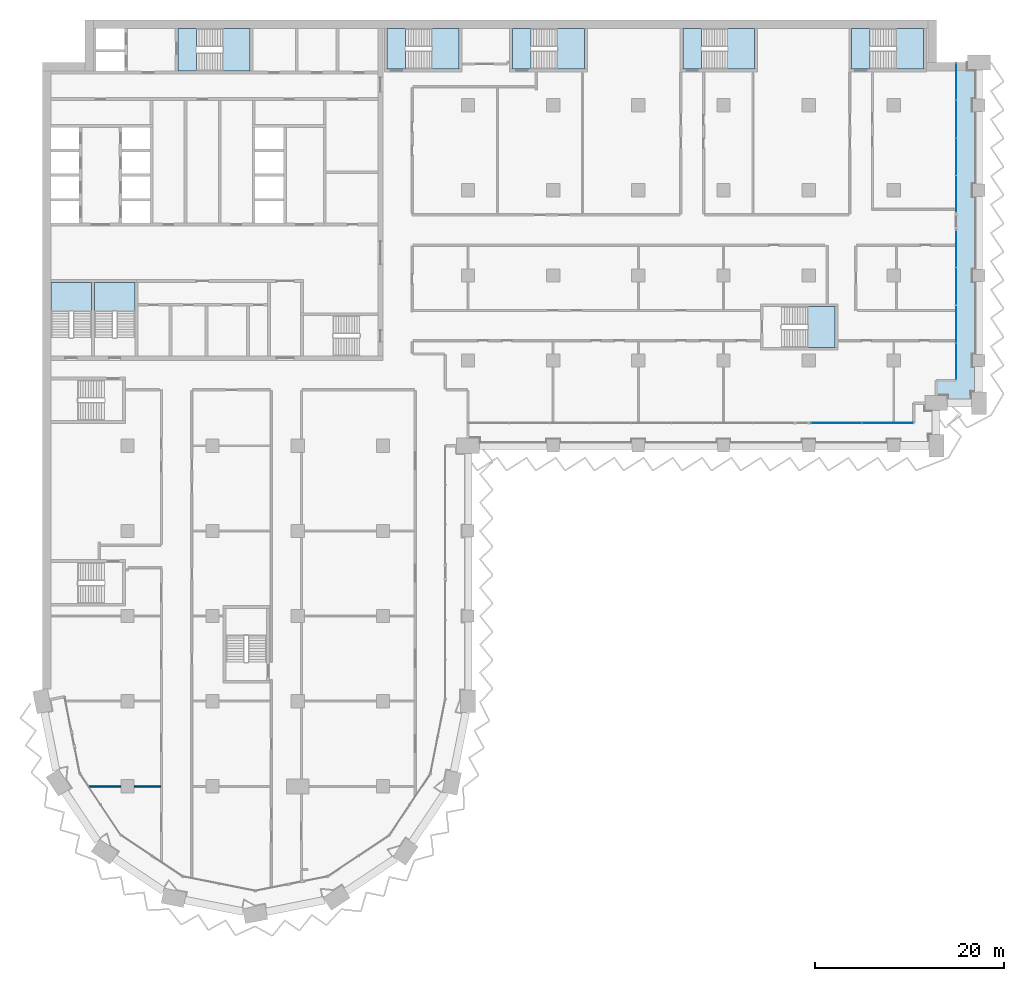
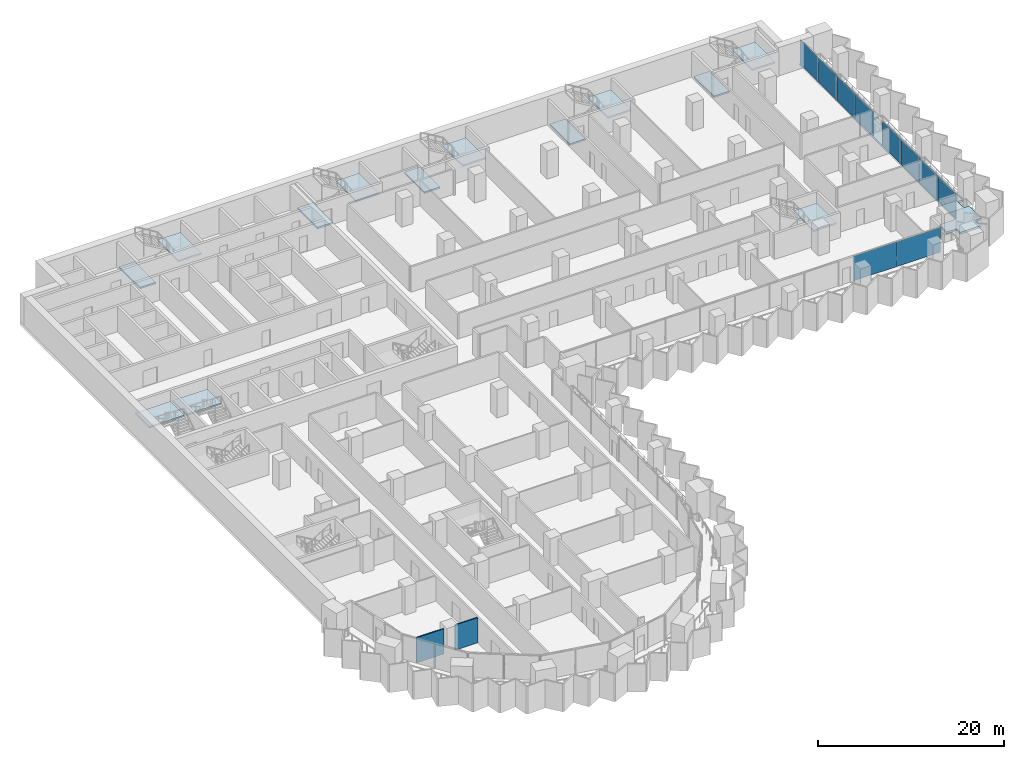
# One storey, part 9 of 28: 14 slabs, 10 plates, 2 walls, 11 elements without a shape of their own.
"""IFC4 building model written with IfcOpenShell, lengths in metres."""

import ifcopenshell
import ifcopenshell.guid

model = None  # the IFC model being written
_history = None  # IfcOwnerHistory: only IFC2X3 demands one
_inside = {}  # id of a spatial element -> (the spatial element, [elements in it])
_under = {}  # id of a project, library or spatial element -> (it, [spatial elements below it])
_declared = {}  # id of a project -> (the project, [libraries it declares])
_typed = {}  # id of a type object -> (the type object, [elements of that type])
_made_of = {}  # id of a material, layer set ... -> (it, [elements and type objects made of it])


def new_model(schema):
    """Start an empty IFC model of exactly this schema.

    Asked for "IFC4X3", IfcOpenShell would pick the latest addendum, in which some entities
    have other attributes; the version numbers below select the first issue.
    IFC2X3 requires an IfcOwnerHistory on every rooted entity: one is made here for all.
    """
    global model, _history
    if schema == "IFC4X3":
        model = ifcopenshell.file(schema_version=(4, 3, 0, 0))
    else:
        model = ifcopenshell.file(schema=schema)
    _inside.clear()
    _under.clear()
    _declared.clear()
    _typed.clear()
    _made_of.clear()
    _history = None
    if model.schema == "IFC2X3":
        org = make("IfcOrganization", Name="unknown")
        user = make(
            "IfcPersonAndOrganization",
            ThePerson=make("IfcPerson", FamilyName="unknown"),
            TheOrganization=org,
        )
        app = make(
            "IfcApplication",
            ApplicationDeveloper=org,
            Version="unknown",
            ApplicationFullName="unknown",
            ApplicationIdentifier="unknown",
        )
        _history = make(
            "IfcOwnerHistory",
            OwningUser=user,
            OwningApplication=app,
            ChangeAction="ADDED",
            CreationDate=0,
        )
    return model


def make(cls, **values):
    """One entity of the class cls with the attributes given. An attribute that is None is left unset."""
    return model.create_entity(
        cls, **{name: value for name, value in values.items() if value is not None}
    )


def rooted(cls, **values):
    """An entity with a GlobalId (a new one), such as an element, a storey or a relation."""
    return make(cls, GlobalId=ifcopenshell.guid.new(), OwnerHistory=_history, **values)


def si_unit(unit_type, name, prefix=None):
    """IfcSIUnit, for example si_unit("LENGTHUNIT", "METRE", prefix="MILLI")."""
    return make("IfcSIUnit", UnitType=unit_type, Prefix=prefix, Name=name)


def assignment(units):
    """IfcUnitAssignment: the units of a project."""
    return None if units is None else make("IfcUnitAssignment", Units=units)


def point(xyz):
    """IfcCartesianPoint."""
    return None if xyz is None else make("IfcCartesianPoint", Coordinates=xyz)


def direction(xyz):
    """IfcDirection."""
    return None if xyz is None else make("IfcDirection", DirectionRatios=xyz)


def frame(location, z_axis=None, x_axis=None):
    """IfcAxis2Placement3D, a coordinate frame: its origin and axes. An axis left out is left unset."""
    return make(
        "IfcAxis2Placement3D",
        Location=point(location),
        Axis=direction(z_axis),
        RefDirection=direction(x_axis),
    )


def frame_2d(location, x_axis=None):
    """IfcAxis2Placement2D, a coordinate frame in the plane: its origin and x axis."""
    return make(
        "IfcAxis2Placement2D", Location=point(location), RefDirection=direction(x_axis)
    )


def origin():
    """The frame at (0, 0, 0) with its axes left unset."""
    return frame((0.0, 0.0, 0.0))


def origin_2d():
    """The frame at (0, 0) in the plane with its x axis left unset."""
    return frame_2d((0.0, 0.0))


def place(relative_to, where):
    """IfcLocalPlacement: puts the frame where relative to a parent placement (None: the world)."""
    return make(
        "IfcLocalPlacement", PlacementRelTo=relative_to, RelativePlacement=where
    )


def context(
    kind, dimensions, precision=None, world=None, true_north=None, identifier=None
):
    """IfcGeometricRepresentationContext, for example the 3D "Model" context."""
    return make(
        "IfcGeometricRepresentationContext",
        ContextIdentifier=identifier,
        ContextType=kind,
        CoordinateSpaceDimension=dimensions,
        Precision=precision,
        WorldCoordinateSystem=world,
        TrueNorth=true_north,
    )


def subcontext(parent, identifier, kind, view, scale=None):
    """IfcGeometricRepresentationSubContext, for example "Body" below "Model"."""
    return make(
        "IfcGeometricRepresentationSubContext",
        ContextIdentifier=identifier,
        ContextType=kind,
        ParentContext=parent,
        TargetScale=scale,
        TargetView=view,
    )


def project(units=None, contexts=None):
    """IfcProject with its units and contexts."""
    return rooted(
        "IfcProject",
        Name="project",
        RepresentationContexts=contexts,
        UnitsInContext=assignment(units),
    )


def spatial(cls, under=None, at=None, **own):
    """A site, building, storey or space (cls), placed at a placement, below another one or the project."""
    s = rooted(cls, ObjectPlacement=at, **own)
    if under is not None:
        _under.setdefault(under.id(), (under, []))[1].append(s)
    return s


def polyline(points):
    """IfcPolyline through the points."""
    return make("IfcPolyline", Points=[point(p) for p in points])


def profile(cls, at=None, kind="AREA", **sizes):
    """A parametric profile (cls). Its sizes go by their IFC names, for example OverallWidth=200.0."""
    return make(cls, ProfileType=kind, Position=at, **sizes)


def rectangle(**sizes):
    """IfcRectangleProfileDef."""
    return profile("IfcRectangleProfileDef", **sizes)


def outline(outer, holes=None, kind="AREA"):
    """IfcArbitraryClosedProfileDef: a profile drawn as a closed curve; with holes, ...WithVoids."""
    if holes is None:
        return make("IfcArbitraryClosedProfileDef", ProfileType=kind, OuterCurve=outer)
    return make(
        "IfcArbitraryProfileDefWithVoids",
        ProfileType=kind,
        OuterCurve=outer,
        InnerCurves=holes,
    )


def extrude(swept, where, along, depth):
    """IfcExtrudedAreaSolid: the profile swept, set in the frame where, extruded along a direction by depth."""
    return make(
        "IfcExtrudedAreaSolid",
        SweptArea=swept,
        Position=where,
        ExtrudedDirection=direction(along),
        Depth=depth,
    )


def shape(context_of_items, identifier, shape_type, items):
    """IfcShapeRepresentation: the items that make up one representation, for example the "Body"."""
    return make(
        "IfcShapeRepresentation",
        ContextOfItems=context_of_items,
        RepresentationIdentifier=identifier,
        RepresentationType=shape_type,
        Items=items,
    )


def material(Name=None, Category=None):
    """IfcMaterial."""
    return make("IfcMaterial", Name=Name, Category=Category)


def layer(
    of_material, thickness, ventilated=None, Name=None, Category=None, Priority=None
):
    """IfcMaterialLayer: one layer of a wall or slab, of a material (None: an air gap)."""
    return make(
        "IfcMaterialLayer",
        Material=of_material,
        LayerThickness=thickness,
        IsVentilated=ventilated,
        Name=Name,
        Category=Category,
        Priority=Priority,
    )


def layer_set(layers, Name=None):
    """IfcMaterialLayerSet."""
    return make("IfcMaterialLayerSet", MaterialLayers=layers, LayerSetName=Name)


def made_of(thing, what):
    """Note that an element or type object is made of a material, layer set ...; save() writes the relation."""
    if what is not None:
        _made_of.setdefault(what.id(), (what, []))[1].append(thing)
    return thing


def type_object(cls, material=None, **own):
    """A type object (cls), such as IfcWallType, which elements share."""
    return made_of(rooted(cls, **own), material)


def element(
    cls,
    number,
    at=None,
    inside=None,
    cuts=None,
    type_object=None,
    material=None,
    context=None,
    identifier="Body",
    shape_type=None,
    held_by="IfcProductDefinitionShape",
    body=None,
    shapes=None,
    **own,
):
    """One element of the class cls, such as IfcWall. Its Tag is "e" and its number.

    at: its placement. inside: the storey or other place that contains it. cuts: it is an
    opening in that element (IfcRelVoidsElement). A single representation is given by context,
    identifier, shape_type and body (its items); several are given by shapes. held_by: the class
    of the entity that holds the representations. save() writes the other relations.
    """
    e = rooted(cls, Tag="e%d" % number, ObjectPlacement=at, **own)
    if body is not None:
        shapes = [shape(context, identifier, shape_type, body)]
    if shapes is not None:
        e.Representation = make(held_by, Representations=shapes)
    if inside is not None:
        _inside.setdefault(inside.id(), (inside, []))[1].append(e)
    if cuts is not None:
        rooted(
            "IfcRelVoidsElement", RelatingBuildingElement=cuts, RelatedOpeningElement=e
        )
    if type_object is not None:
        _typed.setdefault(type_object.id(), (type_object, []))[1].append(e)
    return made_of(e, material)


def aggregate(whole, parts):
    """IfcRelAggregates: a whole, such as a stair, and the parts it consists of."""
    return rooted("IfcRelAggregates", RelatingObject=whole, RelatedObjects=parts)


def save(model, path):
    """Write the relations noted so far, then the file.

    IfcRelAggregates (storeys below a building ...), IfcRelContainedInSpatialStructure (elements
    in a storey), IfcRelDefinesByType, IfcRelAssociatesMaterial and IfcRelDeclares: one each for
    every whole, place, type object, material and project.
    """
    for whole, parts in _under.values():
        aggregate(whole, parts)
    for where, things in _inside.values():
        rooted(
            "IfcRelContainedInSpatialStructure",
            RelatedElements=things,
            RelatingStructure=where,
        )
    for kind, things in _typed.values():
        rooted("IfcRelDefinesByType", RelatedObjects=things, RelatingType=kind)
    for what, things in _made_of.values():
        rooted("IfcRelAssociatesMaterial", RelatedObjects=things, RelatingMaterial=what)
    for by, libraries in _declared.values():
        rooted("IfcRelDeclares", RelatingContext=by, RelatedDefinitions=libraries)
    model.write(path)


model = new_model("IFC4")

# Units and contexts
model_context = context("Model", 3, precision=1e-05, world=origin(), true_north=direction((0.0, 1.0)))
body_context = subcontext(model_context, "Body", "Model", "MODEL_VIEW")
ifc_project = project(units=[si_unit("LENGTHUNIT", "METRE"), si_unit("AREAUNIT", "SQUARE_METRE"), si_unit("VOLUMEUNIT", "CUBIC_METRE"), si_unit("PLANEANGLEUNIT", "RADIAN"), si_unit("MASSUNIT", "GRAM", prefix="KILO")], contexts=[model_context])

# Site, building, storey
site_placement = place(None, origin())
site = spatial("IfcSite", under=ifc_project, at=site_placement, CompositionType="ELEMENT")
building_placement = place(site_placement, origin())
building = spatial("IfcBuilding", under=site, at=building_placement, Name="Hunhe Ridgeline Campus", CompositionType="ELEMENT")
storey_placement = place(building_placement, frame((0.0, 0.0, 72.800048828125)))
storey = spatial("IfcBuildingStorey", under=building, at=storey_placement, Name="L17", CompositionType="ELEMENT", Elevation=72.800048828125)

# Curtain wall, plates
ifc_material_1 = material(Name="Aluminium 6063", Category="aluminium")
curtain_wall_type = type_object("IfcCurtainWallType", Name="Curtain wall CW-1", PredefinedType="NOTDEFINED", material=ifc_material_1)
curtain_wall_1_placement = place(storey_placement, origin())
curtain_wall_1 = element("IfcCurtainWall", 1, at=curtain_wall_1_placement, inside=storey, type_object=curtain_wall_type, Name="Curtain wall 14", PredefinedType="NOTDEFINED")
ifc_material_2 = material(Name="Low-e laminated glass", Category="glass")
ifc_layer_1 = layer(ifc_material_2, 0.028076171875)
ifc_layer_set_1 = layer_set([ifc_layer_1], Name="Curtain wall glass panel 28 low-e laminated")
plate_type = type_object("IfcPlateType", Name="Curtain wall glass panel 28 low-e laminated", PredefinedType="CURTAIN_PANEL", material=ifc_layer_set_1)
plate_1_placement = place(storey_placement, frame((83.957763671875, 56.40087890625, 0.0), z_axis=(0.0, 0.0, 1.0), x_axis=(0.999999999994, 3.58625e-06, 0.0)))
plate_1 = element("IfcPlate", 2, at=plate_1_placement, type_object=plate_type, Name="CW-1 panel 1", PredefinedType="CURTAIN_PANEL", context=body_context, shape_type="SweptSolid", body=[
    extrude(rectangle(XDim=5.347412109375, YDim=0.028076171875, at=origin_2d()), origin(), (0.0, 0.0, 1.0), 3.239990234375),
])
plate_2_placement = place(storey_placement, frame((89.365234375, 56.40087890625, 0.0), z_axis=(0.0, 0.0, 1.0), x_axis=(0.999999999994, 3.58625e-06, 0.0)))
plate_2 = element("IfcPlate", 3, at=plate_2_placement, type_object=plate_type, Name="CW-1 panel 2", PredefinedType="CURTAIN_PANEL", context=body_context, shape_type="SweptSolid", body=[
    extrude(rectangle(XDim=5.347412109375, YDim=0.028076171875, at=origin_2d()), origin(), (0.0, 0.0, 1.0), 3.239990234375),
])
aggregate(curtain_wall_1, [plate_1, plate_2])

curtain_wall_2_placement = place(storey_placement, origin())
curtain_wall_2 = element("IfcCurtainWall", 4, at=curtain_wall_2_placement, inside=storey, type_object=curtain_wall_type, Name="Curtain wall 15", PredefinedType="NOTDEFINED")
plate_3_placement = place(storey_placement, frame((96.59912109375, 62.9033203125, 0.0), z_axis=(0.0, 0.0, 1.0), x_axis=(0.0, 1.0, 0.0)))
plate_3 = element("IfcPlate", 5, at=plate_3_placement, type_object=plate_type, Name="CW-1 panel 1", PredefinedType="CURTAIN_PANEL", context=body_context, shape_type="SweptSolid", body=[
    extrude(rectangle(XDim=3.884765625, YDim=0.028076171875, at=origin_2d()), origin(), (0.0, 0.0, 1.0), 3.239990234375),
])
plate_4_placement = place(storey_placement, frame((96.59912109375, 66.86328125, 0.0), z_axis=(0.0, 0.0, 1.0), x_axis=(0.0, 1.0, 0.0)))
plate_4 = element("IfcPlate", 6, at=plate_4_placement, type_object=plate_type, Name="CW-1 panel 2", PredefinedType="CURTAIN_PANEL", context=body_context, shape_type="SweptSolid", body=[
    extrude(rectangle(XDim=3.914794921875, YDim=0.028076171875, at=origin_2d()), origin(), (0.0, 0.0, 1.0), 3.239990234375),
])
plate_5_placement = place(storey_placement, frame((96.59912109375, 70.838134765625, 0.0), z_axis=(0.0, 0.0, 1.0), x_axis=(0.0, 1.0, 0.0)))
plate_5 = element("IfcPlate", 7, at=plate_5_placement, type_object=plate_type, Name="CW-1 panel 3", PredefinedType="CURTAIN_PANEL", context=body_context, shape_type="SweptSolid", body=[
    extrude(rectangle(XDim=3.914794921875, YDim=0.028076171875, at=origin_2d()), origin(), (0.0, 0.0, 1.0), 3.239990234375),
])
plate_6_placement = place(storey_placement, frame((96.59912109375, 74.798095703125, 0.0), z_axis=(0.0, 0.0, 1.0), x_axis=(0.0, 1.0, 0.0)))
plate_6 = element("IfcPlate", 8, at=plate_6_placement, type_object=plate_type, Name="CW-1 panel 4", PredefinedType="CURTAIN_PANEL", context=body_context, shape_type="SweptSolid", body=[
    extrude(rectangle(XDim=3.884765625, YDim=0.028076171875, at=origin_2d()), origin(), (0.0, 0.0, 1.0), 3.239990234375),
])
aggregate(curtain_wall_2, [plate_3, plate_4, plate_5, plate_6])

curtain_wall_3_placement = place(storey_placement, origin())
curtain_wall_3 = element("IfcCurtainWall", 9, at=curtain_wall_3_placement, inside=storey, type_object=curtain_wall_type, Name="Curtain wall 16", PredefinedType="NOTDEFINED")
plate_7_placement = place(storey_placement, frame((96.59912109375, 80.60302734375, 0.0), z_axis=(0.0, 0.0, 1.0), x_axis=(0.0, 1.0, 0.0)))
plate_7 = element("IfcPlate", 10, at=plate_7_placement, type_object=plate_type, Name="CW-1 panel 1", PredefinedType="CURTAIN_PANEL", context=body_context, shape_type="SweptSolid", body=[
    extrude(rectangle(XDim=3.884765625, YDim=0.028076171875, at=origin_2d()), origin(), (0.0, 0.0, 1.0), 3.239990234375),
])
plate_8_placement = place(storey_placement, frame((96.59912109375, 84.562744140625, 0.0), z_axis=(0.0, 0.0, 1.0), x_axis=(0.0, 1.0, 0.0)))
plate_8 = element("IfcPlate", 11, at=plate_8_placement, type_object=plate_type, Name="CW-1 panel 2", PredefinedType="CURTAIN_PANEL", context=body_context, shape_type="SweptSolid", body=[
    extrude(rectangle(XDim=3.914794921875, YDim=0.028076171875, at=origin_2d()), origin(), (0.0, 0.0, 1.0), 3.239990234375),
])
plate_9_placement = place(storey_placement, frame((96.59912109375, 88.53759765625, 0.0), z_axis=(0.0, 0.0, 1.0), x_axis=(0.0, 1.0, 0.0)))
plate_9 = element("IfcPlate", 12, at=plate_9_placement, type_object=plate_type, Name="CW-1 panel 3", PredefinedType="CURTAIN_PANEL", context=body_context, shape_type="SweptSolid", body=[
    extrude(rectangle(XDim=3.914794921875, YDim=0.028076171875, at=origin_2d()), origin(), (0.0, 0.0, 1.0), 3.239990234375),
])
plate_10_placement = place(storey_placement, frame((96.59912109375, 92.49755859375, 0.0), z_axis=(0.0, 0.0, 1.0), x_axis=(0.0, 1.0, 0.0)))
plate_10 = element("IfcPlate", 13, at=plate_10_placement, type_object=plate_type, Name="CW-1 panel 4", PredefinedType="CURTAIN_PANEL", context=body_context, shape_type="SweptSolid", body=[
    extrude(rectangle(XDim=3.884765625, YDim=0.028076171875, at=origin_2d()), origin(), (0.0, 0.0, 1.0), 3.239990234375),
])
aggregate(curtain_wall_3, [plate_7, plate_8, plate_9, plate_10])

# Slab
ifc_material_3 = material(Name="Concrete C40", Category="concrete")
ifc_layer_2 = layer(ifc_material_3, 0.25)
ifc_layer_set_2 = layer_set([ifc_layer_2], Name="Loggia slab 250 Concrete C40")
slab_type_1 = type_object("IfcSlabType", Name="Loggia slab 250 Concrete C40", PredefinedType="FLOOR", material=ifc_layer_set_2)
slab_1_placement = place(storey_placement, frame((0.0, 0.0, -0.25)))
element("IfcSlab", 14, at=slab_1_placement, inside=storey, type_object=slab_type_1, Name="Loggia slab 3", PredefinedType="FLOOR", context=body_context, shape_type="SweptSolid", body=[
    extrude(outline(polyline([(94.5, 59.300048828125), (95.699951171875, 59.300048828125), (95.699951171875, 58.5), (98.199951171875, 58.5), (98.199951171875, 59.699951171875), (99.0, 59.699951171875), (99.0, 62.35009765625), (98.35009765625, 62.35009765625), (98.35009765625, 63.64990234375), (99.0, 63.64990234375), (99.0, 71.35009765625), (98.35009765625, 71.35009765625), (98.35009765625, 72.64990234375), (99.0, 72.64990234375), (99.0, 80.35009765625), (98.35009765625, 80.35009765625), (98.35009765625, 81.64990234375), (99.0, 81.64990234375), (99.0, 89.35009765625), (98.35009765625, 89.35009765625), (98.35009765625, 90.64990234375), (99.0, 90.64990234375), (99.0, 93.699951171875), (97.800048828125, 93.699951171875), (97.800048828125, 94.5), (96.60009765625, 94.5), (96.60009765625, 60.89990234375), (94.5, 60.89990234375), (94.5, 59.300048828125)])), origin(), (0.0, 0.0, 1.0), 0.25),
])

# Stair, slab
stair_type = type_object("IfcStairType", Name="Reinforced concrete dog-leg stair 1950 Concrete C40", PredefinedType="HALF_TURN_STAIR", material=ifc_material_3)
stair_1_placement = place(storey_placement, origin())
stair_1 = element("IfcStair", 15, at=stair_1_placement, inside=storey, type_object=stair_type, Name="L17 S1", PredefinedType="HALF_TURN_STAIR")
ifc_layer_3 = layer(ifc_material_3, 0.199951171875)
ifc_layer_set_3 = layer_set([ifc_layer_3], Name="Reinforced concrete stair landing 200 Concrete C40")
slab_type_2 = type_object("IfcSlabType", Name="Reinforced concrete stair landing 200 Concrete C40", PredefinedType="LANDING", material=ifc_layer_set_3)
slab_2_placement = place(storey_placement, frame((0.0, 0.0, 1.64990234375)))
slab_2 = element("IfcSlab", 16, at=slab_2_placement, type_object=slab_type_2, Name="ST1 landing 1", PredefinedType="LANDING", context=body_context, shape_type="SweptSolid", body=[
    extrude(outline(polyline([(19.10009765625, 93.60009765625), (21.949951171875, 93.60009765625), (21.949951171875, 98.10009765625), (19.10009765625, 98.10009765625), (19.10009765625, 93.60009765625)])), origin(), (0.0, 0.0, 1.0), 0.199951171875),
])
aggregate(stair_1, [slab_2])

# Slab
slab_3_placement = place(storey_placement, frame((0.0, 0.0, -0.199951171875)))
element("IfcSlab", 17, at=slab_3_placement, inside=storey, type_object=slab_type_2, Name="L17 stair S1 floor landing", PredefinedType="LANDING", context=body_context, shape_type="SweptSolid", body=[
    extrude(outline(polyline([(14.35009765625, 93.60009765625), (16.300048828125, 93.60009765625), (16.300048828125, 98.10009765625), (14.35009765625, 98.10009765625), (14.35009765625, 93.60009765625)])), origin(), (0.0, 0.0, 1.0), 0.199951171875),
])

# Stair, slab
stair_2_placement = place(storey_placement, origin())
stair_2 = element("IfcStair", 18, at=stair_2_placement, inside=storey, type_object=stair_type, Name="L17 S3", PredefinedType="HALF_TURN_STAIR")
slab_4_placement = place(storey_placement, frame((0.0, 0.0, 1.64990234375)))
slab_4 = element("IfcSlab", 19, at=slab_4_placement, type_object=slab_type_2, Name="ST3 landing 1", PredefinedType="LANDING", context=body_context, shape_type="SweptSolid", body=[
    extrude(outline(polyline([(5.199951171875, 68.25), (5.199951171875, 71.25), (0.89990234375, 71.25), (0.89990234375, 68.25), (5.199951171875, 68.25)])), origin(), (0.0, 0.0, 1.0), 0.199951171875),
])
aggregate(stair_2, [slab_4])

stair_3_placement = place(storey_placement, origin())
stair_3 = element("IfcStair", 20, at=stair_3_placement, inside=storey, type_object=stair_type, Name="L17 S4", PredefinedType="HALF_TURN_STAIR")
slab_5_placement = place(storey_placement, frame((0.0, 0.0, 1.64990234375)))
slab_5 = element("IfcSlab", 21, at=slab_5_placement, type_object=slab_type_2, Name="ST4 landing 1", PredefinedType="LANDING", context=body_context, shape_type="SweptSolid", body=[
    extrude(outline(polyline([(9.800048828125, 68.25), (9.800048828125, 71.25), (5.5, 71.25), (5.5, 68.25), (9.800048828125, 68.25)])), origin(), (0.0, 0.0, 1.0), 0.199951171875),
])
aggregate(stair_3, [slab_5])

stair_4_placement = place(storey_placement, origin())
stair_4 = element("IfcStair", 22, at=stair_4_placement, inside=storey, type_object=stair_type, Name="L17 E1", PredefinedType="HALF_TURN_STAIR")
slab_6_placement = place(storey_placement, frame((0.0, 0.0, 1.64990234375)))
slab_6 = element("IfcSlab", 23, at=slab_6_placement, type_object=slab_type_2, Name="ST5 landing 1", PredefinedType="LANDING", context=body_context, shape_type="SweptSolid", body=[
    extrude(outline(polyline([(41.199951171875, 93.800048828125), (44.050048828125, 93.800048828125), (44.050048828125, 98.10009765625), (41.199951171875, 98.10009765625), (41.199951171875, 93.800048828125)])), origin(), (0.0, 0.0, 1.0), 0.199951171875),
])
aggregate(stair_4, [slab_6])

# Slab
slab_7_placement = place(storey_placement, frame((0.0, 0.0, -0.199951171875)))
element("IfcSlab", 24, at=slab_7_placement, inside=storey, type_object=slab_type_2, Name="L17 stair E1 floor landing", PredefinedType="LANDING", context=body_context, shape_type="SweptSolid", body=[
    extrude(outline(polyline([(36.449951171875, 93.800048828125), (38.39990234375, 93.800048828125), (38.39990234375, 98.10009765625), (36.449951171875, 98.10009765625), (36.449951171875, 93.800048828125)])), origin(), (0.0, 0.0, 1.0), 0.199951171875),
])

# Stair, slab
stair_5_placement = place(storey_placement, origin())
stair_5 = element("IfcStair", 25, at=stair_5_placement, inside=storey, type_object=stair_type, Name="L17 E2", PredefinedType="HALF_TURN_STAIR")
slab_8_placement = place(storey_placement, frame((0.0, 0.0, 1.64990234375)))
slab_8 = element("IfcSlab", 26, at=slab_8_placement, type_object=slab_type_2, Name="ST6 landing 1", PredefinedType="LANDING", context=body_context, shape_type="SweptSolid", body=[
    extrude(outline(polyline([(54.449951171875, 93.800048828125), (57.300048828125, 93.800048828125), (57.300048828125, 98.10009765625), (54.449951171875, 98.10009765625), (54.449951171875, 93.800048828125)])), origin(), (0.0, 0.0, 1.0), 0.199951171875),
])
aggregate(stair_5, [slab_8])

# Slab
slab_9_placement = place(storey_placement, frame((0.0, 0.0, -0.199951171875)))
element("IfcSlab", 27, at=slab_9_placement, inside=storey, type_object=slab_type_2, Name="L17 stair E2 floor landing", PredefinedType="LANDING", context=body_context, shape_type="SweptSolid", body=[
    extrude(outline(polyline([(49.699951171875, 93.800048828125), (51.64990234375, 93.800048828125), (51.64990234375, 98.10009765625), (49.699951171875, 98.10009765625), (49.699951171875, 93.800048828125)])), origin(), (0.0, 0.0, 1.0), 0.199951171875),
])

# Stair, slab
stair_6_placement = place(storey_placement, origin())
stair_6 = element("IfcStair", 28, at=stair_6_placement, inside=storey, type_object=stair_type, Name="L17 E3", PredefinedType="HALF_TURN_STAIR")
slab_10_placement = place(storey_placement, frame((0.0, 0.0, 1.64990234375)))
slab_10 = element("IfcSlab", 29, at=slab_10_placement, type_object=slab_type_2, Name="ST7 landing 1", PredefinedType="LANDING", context=body_context, shape_type="SweptSolid", body=[
    extrude(outline(polyline([(72.449951171875, 93.800048828125), (75.300048828125, 93.800048828125), (75.300048828125, 98.10009765625), (72.449951171875, 98.10009765625), (72.449951171875, 93.800048828125)])), origin(), (0.0, 0.0, 1.0), 0.199951171875),
])
aggregate(stair_6, [slab_10])

# Slab
slab_11_placement = place(storey_placement, frame((0.0, 0.0, -0.199951171875)))
element("IfcSlab", 30, at=slab_11_placement, inside=storey, type_object=slab_type_2, Name="L17 stair E3 floor landing", PredefinedType="LANDING", context=body_context, shape_type="SweptSolid", body=[
    extrude(outline(polyline([(67.699951171875, 93.800048828125), (69.64990234375, 93.800048828125), (69.64990234375, 98.10009765625), (67.699951171875, 98.10009765625), (67.699951171875, 93.800048828125)])), origin(), (0.0, 0.0, 1.0), 0.199951171875),
])

# Stair, slab
stair_7_placement = place(storey_placement, origin())
stair_7 = element("IfcStair", 31, at=stair_7_placement, inside=storey, type_object=stair_type, Name="L17 E4", PredefinedType="HALF_TURN_STAIR")
slab_12_placement = place(storey_placement, frame((0.0, 0.0, 1.64990234375)))
slab_12 = element("IfcSlab", 32, at=slab_12_placement, type_object=slab_type_2, Name="ST8 landing 1", PredefinedType="LANDING", context=body_context, shape_type="SweptSolid", body=[
    extrude(outline(polyline([(90.300048828125, 93.800048828125), (93.14990234375, 93.800048828125), (93.14990234375, 98.10009765625), (90.300048828125, 98.10009765625), (90.300048828125, 93.800048828125)])), origin(), (0.0, 0.0, 1.0), 0.199951171875),
])
aggregate(stair_7, [slab_12])

# Slab
slab_13_placement = place(storey_placement, frame((0.0, 0.0, -0.199951171875)))
element("IfcSlab", 33, at=slab_13_placement, inside=storey, type_object=slab_type_2, Name="L17 stair E4 floor landing", PredefinedType="LANDING", context=body_context, shape_type="SweptSolid", body=[
    extrude(outline(polyline([(85.550048828125, 93.800048828125), (87.5, 93.800048828125), (87.5, 98.10009765625), (85.550048828125, 98.10009765625), (85.550048828125, 93.800048828125)])), origin(), (0.0, 0.0, 1.0), 0.199951171875),
])

# Stair, slab
stair_8_placement = place(storey_placement, origin())
stair_8 = element("IfcStair", 34, at=stair_8_placement, inside=storey, type_object=stair_type, Name="L17 E5", PredefinedType="HALF_TURN_STAIR")
slab_14_placement = place(storey_placement, frame((0.0, 0.0, 1.64990234375)))
slab_14 = element("IfcSlab", 35, at=slab_14_placement, type_object=slab_type_2, Name="ST10 landing 1", PredefinedType="LANDING", context=body_context, shape_type="SweptSolid", body=[
    extrude(outline(polyline([(80.949951171875, 64.39990234375), (83.800048828125, 64.39990234375), (83.800048828125, 68.699951171875), (80.949951171875, 68.699951171875), (80.949951171875, 64.39990234375)])), origin(), (0.0, 0.0, 1.0), 0.199951171875),
])
aggregate(stair_8, [slab_14])

# Walls
ifc_material_4 = material(Name="Gypsum board partition")
ifc_layer_4 = layer(ifc_material_4, 0.14990234375)
ifc_layer_set_4 = layer_set([ifc_layer_4], Name="Room partition 150 gypsum board on steel studs")
wall_type = type_object("IfcWallType", Name="Room partition 150 gypsum board on steel studs", PredefinedType="PARTITIONING", material=ifc_layer_set_4)
wall_1_placement = place(storey_placement, frame((4.925537109375, 18.0, 0.0), z_axis=(0.0, 0.0, 1.0), x_axis=(1.0, 0.0, 0.0)))
element("IfcWall", 36, at=wall_1_placement, inside=storey, type_object=wall_type, Name="F-L17-wall-002", PredefinedType="PARTITIONING", context=body_context, shape_type="SweptSolid", body=[
    extrude(rectangle(XDim=3.37451171875, YDim=0.14990234375, at=frame_2d((1.687255859375, 0.0))), origin(), (0.0, 0.0, 1.0), 3.300048828125),
])
wall_2_placement = place(storey_placement, frame((9.699951171875, 18.0, 0.0), z_axis=(0.0, 0.0, 1.0), x_axis=(1.0, 0.0, 0.0)))
element("IfcWall", 37, at=wall_2_placement, inside=storey, type_object=wall_type, Name="F-L17-wall-003", PredefinedType="PARTITIONING", context=body_context, shape_type="SweptSolid", body=[
    extrude(rectangle(XDim=2.800048828125, YDim=0.14990234375, at=frame_2d((1.39990234375, 0.0))), origin(), (0.0, 0.0, 1.0), 3.300048828125),
])

save(model, "model.ifc")
